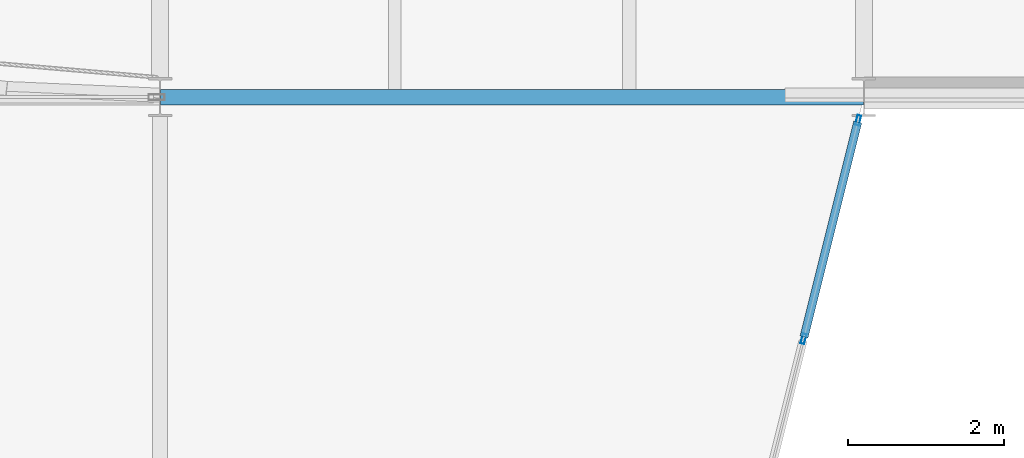
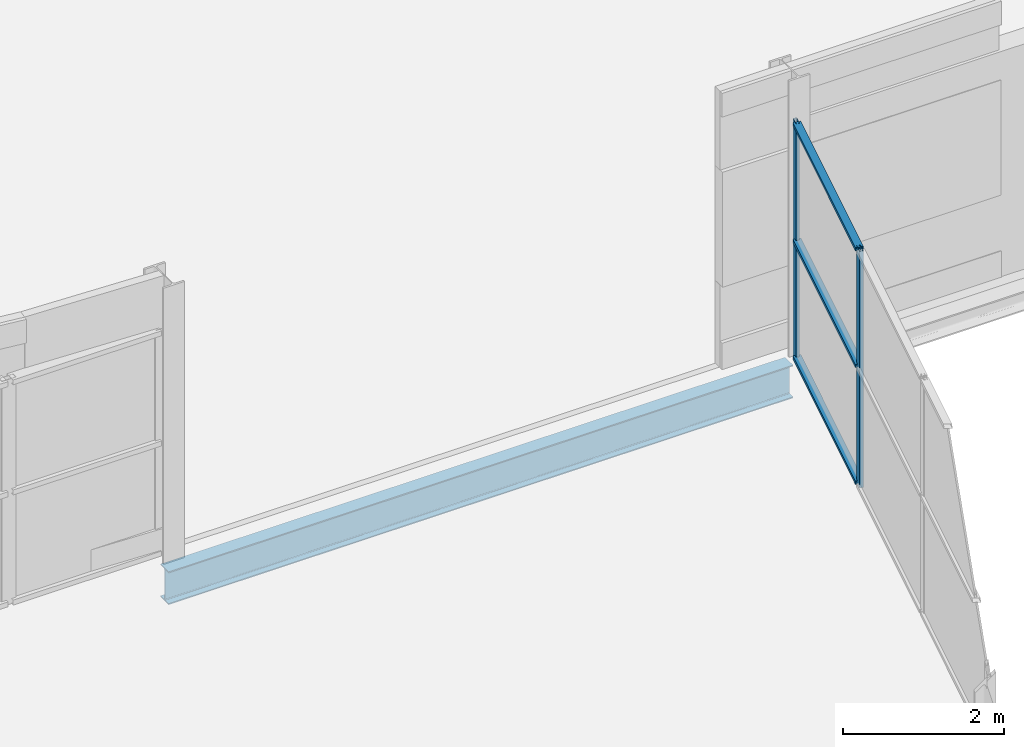
# One storey, part 79 of 140: 5 members, 1 beam, 1 element without a shape of its own.
"""IFC4 building model written with IfcOpenShell, lengths in metres."""

from ifc_helpers import new_model, si_unit, direction, frame, origin, origin_2d, place, context, subcontext, project, spatial, hollow_rectangle, i_section, extrude, material, layer, layer_set, material_profile, profile_set, type_object, element, aggregate, save


model = new_model("IFC4")

# Units and contexts
model_context = context("Model", 3, precision=1e-05, world=origin(), true_north=direction((0.0, 1.0)))
body_context = subcontext(model_context, "Body", "Model", "MODEL_VIEW")
ifc_project = project(units=[si_unit("LENGTHUNIT", "METRE"), si_unit("AREAUNIT", "SQUARE_METRE"), si_unit("VOLUMEUNIT", "CUBIC_METRE"), si_unit("PLANEANGLEUNIT", "RADIAN"), si_unit("MASSUNIT", "GRAM", prefix="KILO")], contexts=[model_context])

# Site, building, storey
site_placement = place(None, origin())
site = spatial("IfcSite", under=ifc_project, at=site_placement, CompositionType="ELEMENT")
building_placement = place(site_placement, origin())
building = spatial("IfcBuilding", under=site, at=building_placement, Name="Deido Ridge Mobility Hub", CompositionType="ELEMENT")
storey_placement = place(building_placement, origin())
storey = spatial("IfcBuildingStorey", under=building, at=storey_placement, Name="L00", CompositionType="ELEMENT", Elevation=0.0)

# Beam
ifc_material_1 = material(Name="Steel S355J2 EN 10025-2", Category="steel")
ifc_material_profile_1 = material_profile(ifc_material_1, i_section(OverallWidth=0.199951171875, OverallDepth=0.5, WebThickness=0.01025390625, FlangeThickness=0.01611328125, FilletRadius=0.02099609375, at=origin_2d()), Name="IPE 500")
ifc_profile_set_1 = profile_set([ifc_material_profile_1], Name="Steel S355J2 EN 10025-2")
beam_type = type_object("IfcBeamType", Name="BM-IPE500", PredefinedType="BEAM", material=ifc_profile_set_1)
beam_placement = place(storey_placement, frame((45.007080078125, 81.0, -0.510009765625), z_axis=(1.0, 0.0, 0.0), x_axis=(0.0, 1.0, 0.0)))
element("IfcBeam", 1, at=beam_placement, inside=storey, type_object=beam_type, Name="Floor beam B3", PredefinedType="BEAM", context=body_context, shape_type="SweptSolid", body=[
    extrude(i_section(OverallWidth=0.199951171875, OverallDepth=0.5, WebThickness=0.01025390625, FlangeThickness=0.01611328125, FilletRadius=0.02099609375, at=origin_2d()), origin(), (0.0, 0.0, 1.0), 8.98583984375),
])

# Curtain wall, members
ifc_material_2 = material(Name="Anodised aluminium EN AW-6063 T6", Category="aluminium")
ifc_layer = layer(ifc_material_2, 0.27001953125, Name="Anodised aluminium EN AW-6063 T6")
ifc_layer_set = layer_set([ifc_layer], Name="Anodised aluminium EN AW-6063 T6")
curtain_wall_type = type_object("IfcCurtainWallType", Name="CW-UF-8", PredefinedType="USERDEFINED", material=ifc_layer_set)
curtain_wall_placement = place(storey_placement, origin())
curtain_wall = element("IfcCurtainWall", 2, at=curtain_wall_placement, inside=storey, type_object=curtain_wall_type, Name="Unitised curtain wall CW8", ObjectType="UNITISED FACADE", PredefinedType="USERDEFINED")
ifc_material_profile_2 = material_profile(ifc_material_2, hollow_rectangle(XDim=0.050048828125, YDim=0.1298828125, WallThickness=0.00390625, at=origin_2d()), Name="RHS 50x130x4")
ifc_profile_set_2 = profile_set([ifc_material_profile_2], Name="Anodised aluminium EN AW-6063 T6")
member_type_1 = type_object("IfcMemberType", Name="MEM-MUL-50X130", PredefinedType="MULLION", material=ifc_profile_set_2)
member_1_placement = place(storey_placement, frame((53.2275390625, 77.909912109375, 0.0), z_axis=(0.0, 0.0, 1.0), x_axis=(-0.970139801497, 0.242546419373, 0.0)))
member_1 = element("IfcMember", 3, at=member_1_placement, type_object=member_type_1, Name="CW8 mullion 3", PredefinedType="MULLION", context=body_context, shape_type="SweptSolid", body=[
    extrude(hollow_rectangle(XDim=0.050048828125, YDim=0.1298828125, WallThickness=0.00390625, at=origin_2d()), origin(), (0.0, 0.0, 1.0), 3.60009765625),
])
member_2_placement = place(storey_placement, frame((53.92626953125, 80.705078125, 0.0), z_axis=(0.0, 0.0, 1.0), x_axis=(-0.970139801497, 0.242546419373, 0.0)))
member_2 = element("IfcMember", 4, at=member_2_placement, type_object=member_type_1, Name="CW8 mullion 4", PredefinedType="MULLION", context=body_context, shape_type="SweptSolid", body=[
    extrude(hollow_rectangle(XDim=0.050048828125, YDim=0.1298828125, WallThickness=0.00390625, at=origin_2d()), origin(), (0.0, 0.0, 1.0), 3.60009765625),
])
ifc_material_profile_3 = material_profile(ifc_material_2, hollow_rectangle(XDim=0.10498046875, YDim=0.050048828125, WallThickness=0.00390625, at=origin_2d()), Name="RHS 105x50x4")
ifc_profile_set_3 = profile_set([ifc_material_profile_3], Name="Anodised aluminium EN AW-6063 T6")
member_type_2 = type_object("IfcMemberType", Name="MEM-TRN-105X50", PredefinedType="USERDEFINED", material=ifc_profile_set_3)
member_3_placement = place(storey_placement, frame((53.233642578125, 77.93408203125, 0.02490234375), z_axis=(0.242474757328, 0.970157715044, 0.0), x_axis=(-0.970157715044, 0.242474757328, 0.0)))
member_3 = element("IfcMember", 5, at=member_3_placement, type_object=member_type_2, Name="CW8 transom 3.1", ObjectType="TRANSOM", PredefinedType="USERDEFINED", context=body_context, shape_type="SweptSolid", body=[
    extrude(hollow_rectangle(XDim=0.10498046875, YDim=0.050048828125, WallThickness=0.00390625, at=origin_2d()), origin(), (0.0, 0.0, 1.0), 2.831298828125),
])
member_4_placement = place(storey_placement, frame((53.233642578125, 77.93408203125, 1.800048828125), z_axis=(0.242474757328, 0.970157715044, 0.0), x_axis=(-0.970157715044, 0.242474757328, 0.0)))
member_4 = element("IfcMember", 6, at=member_4_placement, type_object=member_type_2, Name="CW8 transom 3.2", ObjectType="TRANSOM", PredefinedType="USERDEFINED", context=body_context, shape_type="SweptSolid", body=[
    extrude(hollow_rectangle(XDim=0.10498046875, YDim=0.050048828125, WallThickness=0.00390625, at=origin_2d()), origin(), (0.0, 0.0, 1.0), 2.831298828125),
])
member_5_placement = place(storey_placement, frame((53.233642578125, 77.93408203125, 3.574951171875), z_axis=(0.242474757328, 0.970157715044, 0.0), x_axis=(-0.970157715044, 0.242474757328, 0.0)))
member_5 = element("IfcMember", 7, at=member_5_placement, type_object=member_type_2, Name="CW8 transom 3.3", ObjectType="TRANSOM", PredefinedType="USERDEFINED", context=body_context, shape_type="SweptSolid", body=[
    extrude(hollow_rectangle(XDim=0.10498046875, YDim=0.050048828125, WallThickness=0.00390625, at=origin_2d()), origin(), (0.0, 0.0, 1.0), 2.831298828125),
])
aggregate(curtain_wall, [member_1, member_2, member_3, member_4, member_5])

save(model, "model.ifc")
